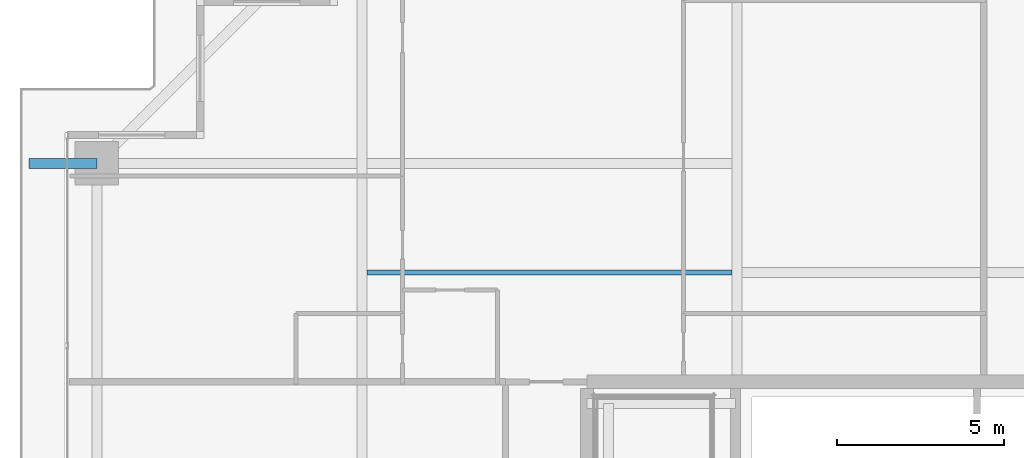
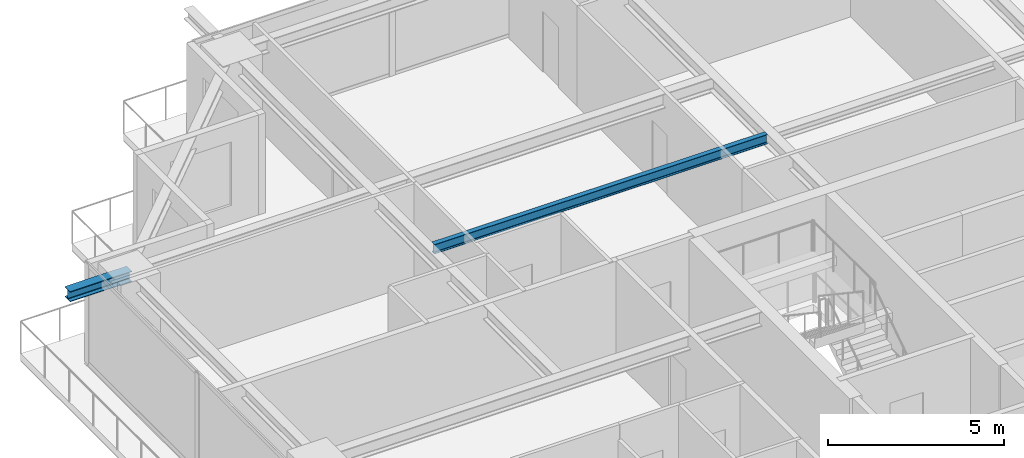
# One storey, part 16 of 35: 2 beams.
"""IFC4 building model written with IfcOpenShell, lengths in metres."""

import ifcopenshell
import ifcopenshell.guid

model = None  # the IFC model being written
_history = None  # IfcOwnerHistory: only IFC2X3 demands one
_inside = {}  # id of a spatial element -> (the spatial element, [elements in it])
_under = {}  # id of a project, library or spatial element -> (it, [spatial elements below it])
_declared = {}  # id of a project -> (the project, [libraries it declares])
_typed = {}  # id of a type object -> (the type object, [elements of that type])
_made_of = {}  # id of a material, layer set ... -> (it, [elements and type objects made of it])


def new_model(schema):
    """Start an empty IFC model of exactly this schema.

    Asked for "IFC4X3", IfcOpenShell would pick the latest addendum, in which some entities
    have other attributes; the version numbers below select the first issue.
    IFC2X3 requires an IfcOwnerHistory on every rooted entity: one is made here for all.
    """
    global model, _history
    if schema == "IFC4X3":
        model = ifcopenshell.file(schema_version=(4, 3, 0, 0))
    else:
        model = ifcopenshell.file(schema=schema)
    _inside.clear()
    _under.clear()
    _declared.clear()
    _typed.clear()
    _made_of.clear()
    _history = None
    if model.schema == "IFC2X3":
        org = make("IfcOrganization", Name="unknown")
        user = make(
            "IfcPersonAndOrganization",
            ThePerson=make("IfcPerson", FamilyName="unknown"),
            TheOrganization=org,
        )
        app = make(
            "IfcApplication",
            ApplicationDeveloper=org,
            Version="unknown",
            ApplicationFullName="unknown",
            ApplicationIdentifier="unknown",
        )
        _history = make(
            "IfcOwnerHistory",
            OwningUser=user,
            OwningApplication=app,
            ChangeAction="ADDED",
            CreationDate=0,
        )
    return model


def make(cls, **values):
    """One entity of the class cls with the attributes given. An attribute that is None is left unset."""
    return model.create_entity(
        cls, **{name: value for name, value in values.items() if value is not None}
    )


def rooted(cls, **values):
    """An entity with a GlobalId (a new one), such as an element, a storey or a relation."""
    return make(cls, GlobalId=ifcopenshell.guid.new(), OwnerHistory=_history, **values)


def si_unit(unit_type, name, prefix=None):
    """IfcSIUnit, for example si_unit("LENGTHUNIT", "METRE", prefix="MILLI")."""
    return make("IfcSIUnit", UnitType=unit_type, Prefix=prefix, Name=name)


def assignment(units):
    """IfcUnitAssignment: the units of a project."""
    return None if units is None else make("IfcUnitAssignment", Units=units)


def point(xyz):
    """IfcCartesianPoint."""
    return None if xyz is None else make("IfcCartesianPoint", Coordinates=xyz)


def direction(xyz):
    """IfcDirection."""
    return None if xyz is None else make("IfcDirection", DirectionRatios=xyz)


def frame(location, z_axis=None, x_axis=None):
    """IfcAxis2Placement3D, a coordinate frame: its origin and axes. An axis left out is left unset."""
    return make(
        "IfcAxis2Placement3D",
        Location=point(location),
        Axis=direction(z_axis),
        RefDirection=direction(x_axis),
    )


def frame_2d(location, x_axis=None):
    """IfcAxis2Placement2D, a coordinate frame in the plane: its origin and x axis."""
    return make(
        "IfcAxis2Placement2D", Location=point(location), RefDirection=direction(x_axis)
    )


def origin():
    """The frame at (0, 0, 0) with its axes left unset."""
    return frame((0.0, 0.0, 0.0))


def origin_2d():
    """The frame at (0, 0) in the plane with its x axis left unset."""
    return frame_2d((0.0, 0.0))


def place(relative_to, where):
    """IfcLocalPlacement: puts the frame where relative to a parent placement (None: the world)."""
    return make(
        "IfcLocalPlacement", PlacementRelTo=relative_to, RelativePlacement=where
    )


def context(
    kind, dimensions, precision=None, world=None, true_north=None, identifier=None
):
    """IfcGeometricRepresentationContext, for example the 3D "Model" context."""
    return make(
        "IfcGeometricRepresentationContext",
        ContextIdentifier=identifier,
        ContextType=kind,
        CoordinateSpaceDimension=dimensions,
        Precision=precision,
        WorldCoordinateSystem=world,
        TrueNorth=true_north,
    )


def subcontext(parent, identifier, kind, view, scale=None):
    """IfcGeometricRepresentationSubContext, for example "Body" below "Model"."""
    return make(
        "IfcGeometricRepresentationSubContext",
        ContextIdentifier=identifier,
        ContextType=kind,
        ParentContext=parent,
        TargetScale=scale,
        TargetView=view,
    )


def project(units=None, contexts=None):
    """IfcProject with its units and contexts."""
    return rooted(
        "IfcProject",
        Name="project",
        RepresentationContexts=contexts,
        UnitsInContext=assignment(units),
    )


def spatial(cls, under=None, at=None, **own):
    """A site, building, storey or space (cls), placed at a placement, below another one or the project."""
    s = rooted(cls, ObjectPlacement=at, **own)
    if under is not None:
        _under.setdefault(under.id(), (under, []))[1].append(s)
    return s


def profile(cls, at=None, kind="AREA", **sizes):
    """A parametric profile (cls). Its sizes go by their IFC names, for example OverallWidth=200.0."""
    return make(cls, ProfileType=kind, Position=at, **sizes)


def i_section(**sizes):
    """IfcIShapeProfileDef."""
    return profile("IfcIShapeProfileDef", **sizes)


def extrude(swept, where, along, depth):
    """IfcExtrudedAreaSolid: the profile swept, set in the frame where, extruded along a direction by depth."""
    return make(
        "IfcExtrudedAreaSolid",
        SweptArea=swept,
        Position=where,
        ExtrudedDirection=direction(along),
        Depth=depth,
    )


def shape(context_of_items, identifier, shape_type, items):
    """IfcShapeRepresentation: the items that make up one representation, for example the "Body"."""
    return make(
        "IfcShapeRepresentation",
        ContextOfItems=context_of_items,
        RepresentationIdentifier=identifier,
        RepresentationType=shape_type,
        Items=items,
    )


def source(mapping_origin, context_of_items, identifier, shape_type, items):
    """IfcRepresentationMap: a shape defined once, which mapped items show again and again."""
    return make(
        "IfcRepresentationMap",
        MappingOrigin=mapping_origin,
        MappedRepresentation=shape(context_of_items, identifier, shape_type, items),
    )


def transform(
    local_origin,
    x_axis=None,
    y_axis=None,
    z_axis=None,
    scale=None,
    scale2=None,
    scale3=None,
    uniform=True,
):
    """IfcCartesianTransformationOperator3D, or its non-uniform kind. x_axis, y_axis, z_axis: its Axis1, 2, 3."""
    if uniform:
        return make(
            "IfcCartesianTransformationOperator3D",
            Axis1=direction(x_axis),
            Axis2=direction(y_axis),
            LocalOrigin=point(local_origin),
            Scale=scale,
            Axis3=direction(z_axis),
        )
    return make(
        "IfcCartesianTransformationOperator3DnonUniform",
        Axis1=direction(x_axis),
        Axis2=direction(y_axis),
        LocalOrigin=point(local_origin),
        Scale=scale,
        Axis3=direction(z_axis),
        Scale2=scale2,
        Scale3=scale3,
    )


def mapped(mapping_source, mapping_target):
    """IfcMappedItem: shows the shape of a source again, moved by a transform."""
    return make(
        "IfcMappedItem", MappingSource=mapping_source, MappingTarget=mapping_target
    )


def material(Name=None, Category=None):
    """IfcMaterial."""
    return make("IfcMaterial", Name=Name, Category=Category)


def material_profile(
    of_material, cross_section, Name=None, Category=None, Priority=None
):
    """IfcMaterialProfile: a cross section and its material."""
    return make(
        "IfcMaterialProfile",
        Name=Name,
        Material=of_material,
        Profile=cross_section,
        Priority=Priority,
        Category=Category,
    )


def profile_set(profiles, Name=None, composite=None):
    """IfcMaterialProfileSet."""
    return make(
        "IfcMaterialProfileSet",
        Name=Name,
        MaterialProfiles=profiles,
        CompositeProfile=composite,
    )


def made_of(thing, what):
    """Note that an element or type object is made of a material, layer set ...; save() writes the relation."""
    if what is not None:
        _made_of.setdefault(what.id(), (what, []))[1].append(thing)
    return thing


def type_object(cls, material=None, **own):
    """A type object (cls), such as IfcWallType, which elements share."""
    return made_of(rooted(cls, **own), material)


def element(
    cls,
    number,
    at=None,
    inside=None,
    cuts=None,
    type_object=None,
    material=None,
    context=None,
    identifier="Body",
    shape_type=None,
    held_by="IfcProductDefinitionShape",
    body=None,
    shapes=None,
    **own,
):
    """One element of the class cls, such as IfcWall. Its Tag is "e" and its number.

    at: its placement. inside: the storey or other place that contains it. cuts: it is an
    opening in that element (IfcRelVoidsElement). A single representation is given by context,
    identifier, shape_type and body (its items); several are given by shapes. held_by: the class
    of the entity that holds the representations. save() writes the other relations.
    """
    e = rooted(cls, Tag="e%d" % number, ObjectPlacement=at, **own)
    if body is not None:
        shapes = [shape(context, identifier, shape_type, body)]
    if shapes is not None:
        e.Representation = make(held_by, Representations=shapes)
    if inside is not None:
        _inside.setdefault(inside.id(), (inside, []))[1].append(e)
    if cuts is not None:
        rooted(
            "IfcRelVoidsElement", RelatingBuildingElement=cuts, RelatedOpeningElement=e
        )
    if type_object is not None:
        _typed.setdefault(type_object.id(), (type_object, []))[1].append(e)
    return made_of(e, material)


def aggregate(whole, parts):
    """IfcRelAggregates: a whole, such as a stair, and the parts it consists of."""
    return rooted("IfcRelAggregates", RelatingObject=whole, RelatedObjects=parts)


def save(model, path):
    """Write the relations noted so far, then the file.

    IfcRelAggregates (storeys below a building ...), IfcRelContainedInSpatialStructure (elements
    in a storey), IfcRelDefinesByType, IfcRelAssociatesMaterial and IfcRelDeclares: one each for
    every whole, place, type object, material and project.
    """
    for whole, parts in _under.values():
        aggregate(whole, parts)
    for where, things in _inside.values():
        rooted(
            "IfcRelContainedInSpatialStructure",
            RelatedElements=things,
            RelatingStructure=where,
        )
    for kind, things in _typed.values():
        rooted("IfcRelDefinesByType", RelatedObjects=things, RelatingType=kind)
    for what, things in _made_of.values():
        rooted("IfcRelAssociatesMaterial", RelatedObjects=things, RelatingMaterial=what)
    for by, libraries in _declared.values():
        rooted("IfcRelDeclares", RelatingContext=by, RelatedDefinitions=libraries)
    model.write(path)


model = new_model("IFC4")

# Units and contexts
model_context = context("Model", 3, precision=1e-05, world=origin(), true_north=direction((0.0, 1.0)))
body_context = subcontext(model_context, "Body", "Model", "MODEL_VIEW")
ifc_project = project(units=[si_unit("LENGTHUNIT", "METRE"), si_unit("AREAUNIT", "SQUARE_METRE"), si_unit("VOLUMEUNIT", "CUBIC_METRE"), si_unit("PLANEANGLEUNIT", "RADIAN"), si_unit("MASSUNIT", "GRAM", prefix="KILO")], contexts=[model_context])

# Site, building, storey
site_placement = place(None, origin())
site = spatial("IfcSite", under=ifc_project, at=site_placement, CompositionType="ELEMENT")
building_placement = place(site_placement, origin())
building = spatial("IfcBuilding", under=site, at=building_placement, Name="Serunith Strait Residences", CompositionType="ELEMENT")
storey_placement = place(building_placement, frame((0.0, 0.0, 191.39990234375)))
storey = spatial("IfcBuildingStorey", under=building, at=storey_placement, Name="L48", CompositionType="ELEMENT", Elevation=191.39990234375)

# Beams
ifc_material = material(Name="Steel S355J2", Category="steel")
ifc_material_profile_1 = material_profile(ifc_material, i_section(OverallWidth=0.300048828125, OverallDepth=0.360107421875, WebThickness=0.012451171875, FlangeThickness=0.0224609375, FilletRadius=0.027099609375, at=origin_2d()), Name="HEB 360")
ifc_profile_set_1 = profile_set([ifc_material_profile_1], Name="Steel S355J2")
beam_type_1 = type_object("IfcBeamType", Name="BM-HEB360", PredefinedType="BEAM", material=ifc_profile_set_1)
shared_shape_1 = source(origin(), body_context, "Body", "SweptSolid", [
    extrude(i_section(OverallWidth=0.300048828125, OverallDepth=0.360107421875, WebThickness=0.012451171875, FlangeThickness=0.0224609375, FilletRadius=0.027099609375, at=origin_2d()), origin(), (0.0, 0.0, 1.0), 2.030029296875),
])
beam_1_placement = place(storey_placement, frame((8.699951171875, 40.14990234375, 3.277099609375), z_axis=(-1.0, 0.0, 0.0), x_axis=(0.0, -1.0, 0.0)))
element("IfcBeam", 1, at=beam_1_placement, inside=storey, type_object=beam_type_1, Name="L49 Cantilevered Balcony Rib TC-W4", PredefinedType="BEAM", context=body_context, shape_type="MappedRepresentation", body=[
    mapped(shared_shape_1, transform((0.0, 0.0, 0.0), scale=1.0)),
])
ifc_material_profile_2 = material_profile(ifc_material, i_section(OverallWidth=0.159912109375, OverallDepth=0.330078125, WebThickness=0.007568359375, FlangeThickness=0.011474609375, FilletRadius=0.01806640625, at=origin_2d()), Name="IPE 330")
ifc_profile_set_2 = profile_set([ifc_material_profile_2], Name="Steel S355J2")
beam_type_2 = type_object("IfcBeamType", Name="BM-IPE330", PredefinedType="JOIST", material=ifc_profile_set_2)
shared_shape_2 = source(origin(), body_context, "Body", "SweptSolid", [
    extrude(i_section(OverallWidth=0.159912109375, OverallDepth=0.330078125, WebThickness=0.007568359375, FlangeThickness=0.011474609375, FilletRadius=0.01806640625, at=origin_2d()), origin(), (0.0, 0.0, 1.0), 10.949951171875),
])
beam_2_placement = place(storey_placement, frame((16.800048828125, 36.875, 3.322021484375), z_axis=(1.0, 0.0, 0.0), x_axis=(0.0, 1.0, 0.0)))
element("IfcBeam", 2, at=beam_2_placement, inside=storey, type_object=beam_type_2, Name="L48 Composite Floor Joist 04", PredefinedType="JOIST", context=body_context, shape_type="MappedRepresentation", body=[
    mapped(shared_shape_2, transform((0.0, 0.0, 0.0), scale=1.0)),
])

save(model, "model.ifc")
